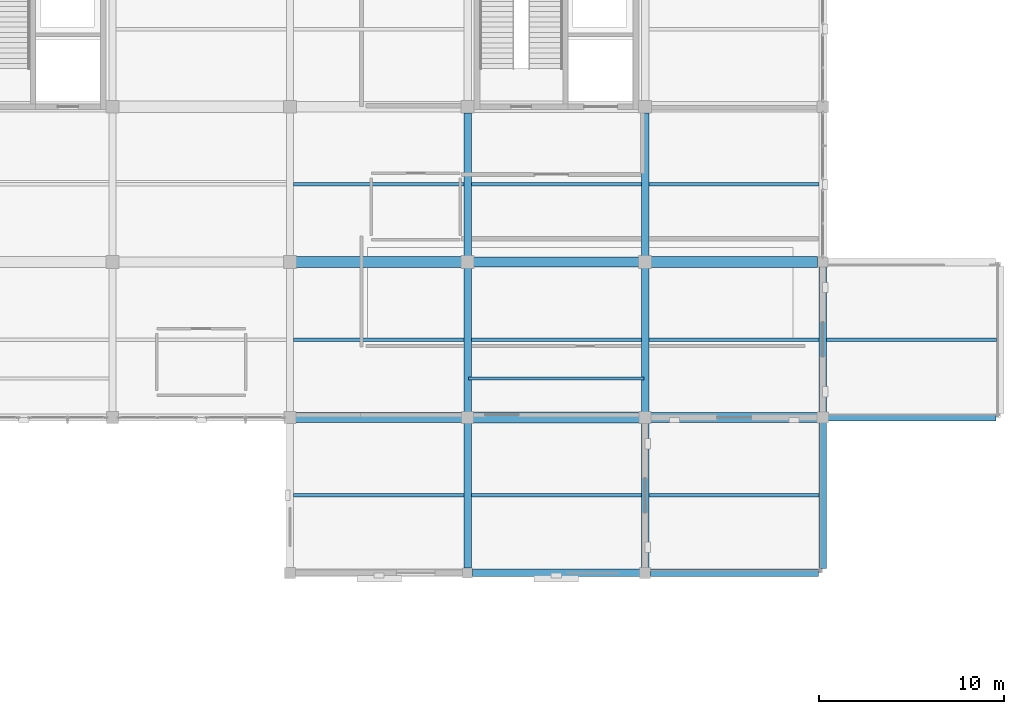
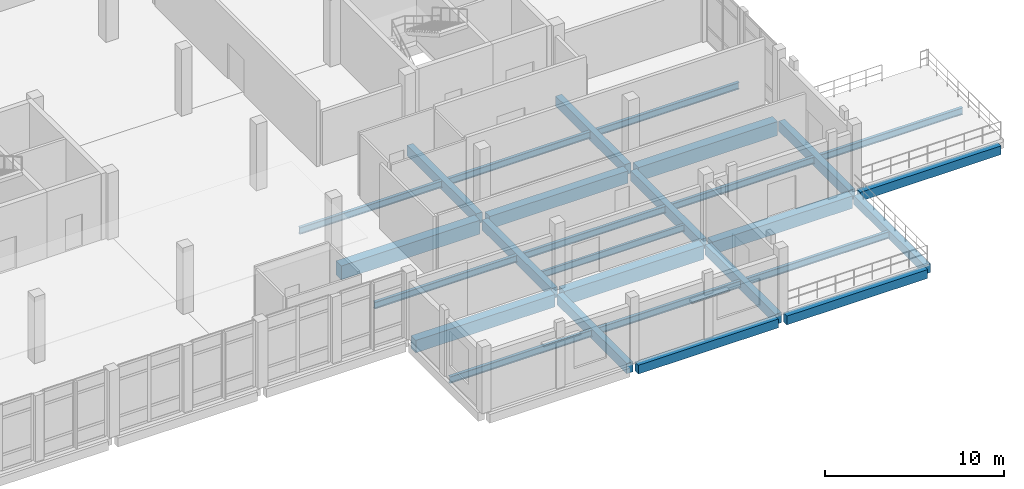
# One storey, part 61 of 102: 28 beams.
"""IFC4 building model written with IfcOpenShell, lengths in metres."""

import ifcopenshell
import ifcopenshell.guid

model = None  # the IFC model being written
_history = None  # IfcOwnerHistory: only IFC2X3 demands one
_inside = {}  # id of a spatial element -> (the spatial element, [elements in it])
_under = {}  # id of a project, library or spatial element -> (it, [spatial elements below it])
_declared = {}  # id of a project -> (the project, [libraries it declares])
_typed = {}  # id of a type object -> (the type object, [elements of that type])
_made_of = {}  # id of a material, layer set ... -> (it, [elements and type objects made of it])


def new_model(schema):
    """Start an empty IFC model of exactly this schema.

    Asked for "IFC4X3", IfcOpenShell would pick the latest addendum, in which some entities
    have other attributes; the version numbers below select the first issue.
    IFC2X3 requires an IfcOwnerHistory on every rooted entity: one is made here for all.
    """
    global model, _history
    if schema == "IFC4X3":
        model = ifcopenshell.file(schema_version=(4, 3, 0, 0))
    else:
        model = ifcopenshell.file(schema=schema)
    _inside.clear()
    _under.clear()
    _declared.clear()
    _typed.clear()
    _made_of.clear()
    _history = None
    if model.schema == "IFC2X3":
        org = make("IfcOrganization", Name="unknown")
        user = make(
            "IfcPersonAndOrganization",
            ThePerson=make("IfcPerson", FamilyName="unknown"),
            TheOrganization=org,
        )
        app = make(
            "IfcApplication",
            ApplicationDeveloper=org,
            Version="unknown",
            ApplicationFullName="unknown",
            ApplicationIdentifier="unknown",
        )
        _history = make(
            "IfcOwnerHistory",
            OwningUser=user,
            OwningApplication=app,
            ChangeAction="ADDED",
            CreationDate=0,
        )
    return model


def make(cls, **values):
    """One entity of the class cls with the attributes given. An attribute that is None is left unset."""
    return model.create_entity(
        cls, **{name: value for name, value in values.items() if value is not None}
    )


def rooted(cls, **values):
    """An entity with a GlobalId (a new one), such as an element, a storey or a relation."""
    return make(cls, GlobalId=ifcopenshell.guid.new(), OwnerHistory=_history, **values)


def si_unit(unit_type, name, prefix=None):
    """IfcSIUnit, for example si_unit("LENGTHUNIT", "METRE", prefix="MILLI")."""
    return make("IfcSIUnit", UnitType=unit_type, Prefix=prefix, Name=name)


def assignment(units):
    """IfcUnitAssignment: the units of a project."""
    return None if units is None else make("IfcUnitAssignment", Units=units)


def point(xyz):
    """IfcCartesianPoint."""
    return None if xyz is None else make("IfcCartesianPoint", Coordinates=xyz)


def direction(xyz):
    """IfcDirection."""
    return None if xyz is None else make("IfcDirection", DirectionRatios=xyz)


def frame(location, z_axis=None, x_axis=None):
    """IfcAxis2Placement3D, a coordinate frame: its origin and axes. An axis left out is left unset."""
    return make(
        "IfcAxis2Placement3D",
        Location=point(location),
        Axis=direction(z_axis),
        RefDirection=direction(x_axis),
    )


def frame_2d(location, x_axis=None):
    """IfcAxis2Placement2D, a coordinate frame in the plane: its origin and x axis."""
    return make(
        "IfcAxis2Placement2D", Location=point(location), RefDirection=direction(x_axis)
    )


def origin():
    """The frame at (0, 0, 0) with its axes left unset."""
    return frame((0.0, 0.0, 0.0))


def origin_2d():
    """The frame at (0, 0) in the plane with its x axis left unset."""
    return frame_2d((0.0, 0.0))


def place(relative_to, where):
    """IfcLocalPlacement: puts the frame where relative to a parent placement (None: the world)."""
    return make(
        "IfcLocalPlacement", PlacementRelTo=relative_to, RelativePlacement=where
    )


def context(
    kind, dimensions, precision=None, world=None, true_north=None, identifier=None
):
    """IfcGeometricRepresentationContext, for example the 3D "Model" context."""
    return make(
        "IfcGeometricRepresentationContext",
        ContextIdentifier=identifier,
        ContextType=kind,
        CoordinateSpaceDimension=dimensions,
        Precision=precision,
        WorldCoordinateSystem=world,
        TrueNorth=true_north,
    )


def subcontext(parent, identifier, kind, view, scale=None):
    """IfcGeometricRepresentationSubContext, for example "Body" below "Model"."""
    return make(
        "IfcGeometricRepresentationSubContext",
        ContextIdentifier=identifier,
        ContextType=kind,
        ParentContext=parent,
        TargetScale=scale,
        TargetView=view,
    )


def project(units=None, contexts=None):
    """IfcProject with its units and contexts."""
    return rooted(
        "IfcProject",
        Name="project",
        RepresentationContexts=contexts,
        UnitsInContext=assignment(units),
    )


def spatial(cls, under=None, at=None, **own):
    """A site, building, storey or space (cls), placed at a placement, below another one or the project."""
    s = rooted(cls, ObjectPlacement=at, **own)
    if under is not None:
        _under.setdefault(under.id(), (under, []))[1].append(s)
    return s


def profile(cls, at=None, kind="AREA", **sizes):
    """A parametric profile (cls). Its sizes go by their IFC names, for example OverallWidth=200.0."""
    return make(cls, ProfileType=kind, Position=at, **sizes)


def rectangle(**sizes):
    """IfcRectangleProfileDef."""
    return profile("IfcRectangleProfileDef", **sizes)


def i_section(**sizes):
    """IfcIShapeProfileDef."""
    return profile("IfcIShapeProfileDef", **sizes)


def extrude(swept, where, along, depth):
    """IfcExtrudedAreaSolid: the profile swept, set in the frame where, extruded along a direction by depth."""
    return make(
        "IfcExtrudedAreaSolid",
        SweptArea=swept,
        Position=where,
        ExtrudedDirection=direction(along),
        Depth=depth,
    )


def shape(context_of_items, identifier, shape_type, items):
    """IfcShapeRepresentation: the items that make up one representation, for example the "Body"."""
    return make(
        "IfcShapeRepresentation",
        ContextOfItems=context_of_items,
        RepresentationIdentifier=identifier,
        RepresentationType=shape_type,
        Items=items,
    )


def material(Name=None, Category=None):
    """IfcMaterial."""
    return make("IfcMaterial", Name=Name, Category=Category)


def material_profile(
    of_material, cross_section, Name=None, Category=None, Priority=None
):
    """IfcMaterialProfile: a cross section and its material."""
    return make(
        "IfcMaterialProfile",
        Name=Name,
        Material=of_material,
        Profile=cross_section,
        Priority=Priority,
        Category=Category,
    )


def profile_set(profiles, Name=None, composite=None):
    """IfcMaterialProfileSet."""
    return make(
        "IfcMaterialProfileSet",
        Name=Name,
        MaterialProfiles=profiles,
        CompositeProfile=composite,
    )


def made_of(thing, what):
    """Note that an element or type object is made of a material, layer set ...; save() writes the relation."""
    if what is not None:
        _made_of.setdefault(what.id(), (what, []))[1].append(thing)
    return thing


def type_object(cls, material=None, **own):
    """A type object (cls), such as IfcWallType, which elements share."""
    return made_of(rooted(cls, **own), material)


def element(
    cls,
    number,
    at=None,
    inside=None,
    cuts=None,
    type_object=None,
    material=None,
    context=None,
    identifier="Body",
    shape_type=None,
    held_by="IfcProductDefinitionShape",
    body=None,
    shapes=None,
    **own,
):
    """One element of the class cls, such as IfcWall. Its Tag is "e" and its number.

    at: its placement. inside: the storey or other place that contains it. cuts: it is an
    opening in that element (IfcRelVoidsElement). A single representation is given by context,
    identifier, shape_type and body (its items); several are given by shapes. held_by: the class
    of the entity that holds the representations. save() writes the other relations.
    """
    e = rooted(cls, Tag="e%d" % number, ObjectPlacement=at, **own)
    if body is not None:
        shapes = [shape(context, identifier, shape_type, body)]
    if shapes is not None:
        e.Representation = make(held_by, Representations=shapes)
    if inside is not None:
        _inside.setdefault(inside.id(), (inside, []))[1].append(e)
    if cuts is not None:
        rooted(
            "IfcRelVoidsElement", RelatingBuildingElement=cuts, RelatedOpeningElement=e
        )
    if type_object is not None:
        _typed.setdefault(type_object.id(), (type_object, []))[1].append(e)
    return made_of(e, material)


def aggregate(whole, parts):
    """IfcRelAggregates: a whole, such as a stair, and the parts it consists of."""
    return rooted("IfcRelAggregates", RelatingObject=whole, RelatedObjects=parts)


def save(model, path):
    """Write the relations noted so far, then the file.

    IfcRelAggregates (storeys below a building ...), IfcRelContainedInSpatialStructure (elements
    in a storey), IfcRelDefinesByType, IfcRelAssociatesMaterial and IfcRelDeclares: one each for
    every whole, place, type object, material and project.
    """
    for whole, parts in _under.values():
        aggregate(whole, parts)
    for where, things in _inside.values():
        rooted(
            "IfcRelContainedInSpatialStructure",
            RelatedElements=things,
            RelatingStructure=where,
        )
    for kind, things in _typed.values():
        rooted("IfcRelDefinesByType", RelatedObjects=things, RelatingType=kind)
    for what, things in _made_of.values():
        rooted("IfcRelAssociatesMaterial", RelatedObjects=things, RelatingMaterial=what)
    for by, libraries in _declared.values():
        rooted("IfcRelDeclares", RelatingContext=by, RelatedDefinitions=libraries)
    model.write(path)


model = new_model("IFC4")

# Units and contexts
model_context = context("Model", 3, precision=1e-05, world=origin(), true_north=direction((0.0, 1.0)))
body_context = subcontext(model_context, "Body", "Model", "MODEL_VIEW")
ifc_project = project(units=[si_unit("LENGTHUNIT", "METRE"), si_unit("AREAUNIT", "SQUARE_METRE"), si_unit("VOLUMEUNIT", "CUBIC_METRE"), si_unit("PLANEANGLEUNIT", "RADIAN"), si_unit("MASSUNIT", "GRAM", prefix="KILO")], contexts=[model_context])

# Site, building, storey
site_placement = place(None, origin())
site = spatial("IfcSite", under=ifc_project, at=site_placement, CompositionType="ELEMENT")
building_placement = place(site_placement, origin())
building = spatial("IfcBuilding", under=site, at=building_placement, Name="Lornevale Opera House", CompositionType="ELEMENT")
storey_placement = place(building_placement, frame((0.0, 0.0, 5.39990234375)))
storey = spatial("IfcBuildingStorey", under=building, at=storey_placement, Name="L02", CompositionType="ELEMENT", Elevation=5.39990234375)

# Beams
ifc_material_1 = material(Name="Concrete 35 MPa (CSA A23.1 N)", Category="concrete")
ifc_material_profile_1 = material_profile(ifc_material_1, rectangle(XDim=0.39990234375, YDim=0.699951171875, at=origin_2d()), Name="RC400x700")
ifc_profile_set_1 = profile_set([ifc_material_profile_1], Name="Concrete 35 MPa (CSA A23.1 N)")
beam_type_1 = type_object("IfcBeamType", Name="Concrete Floor Beam 400x700", PredefinedType="USERDEFINED", material=ifc_profile_set_1)
beam_1_placement = place(storey_placement, frame((134.39990234375, 8.675048828125, -0.64990234375), z_axis=(0.0, 1.0, 0.0), x_axis=(-1.0, 0.0, 0.0)))
element("IfcBeam", 1, at=beam_1_placement, inside=storey, type_object=beam_type_1, Name="Concrete Floor Beam 400x700 1951", ObjectType="GIRDER", PredefinedType="USERDEFINED", context=body_context, shape_type="SweptSolid", body=[
    extrude(rectangle(XDim=0.39990234375, YDim=0.699951171875, at=origin_2d()), origin(), (0.0, 0.0, 1.0), 7.824951171875),
])
beam_2_placement = place(storey_placement, frame((134.39990234375, 17.10009765625, -0.64990234375), z_axis=(0.0, 1.0, 0.0), x_axis=(-1.0, 0.0, 0.0)))
element("IfcBeam", 2, at=beam_2_placement, inside=storey, type_object=beam_type_1, Name="Concrete Floor Beam 400x700 1952", ObjectType="GIRDER", PredefinedType="USERDEFINED", context=body_context, shape_type="SweptSolid", body=[
    extrude(rectangle(XDim=0.39990234375, YDim=0.699951171875, at=origin_2d()), origin(), (0.0, 0.0, 1.0), 7.77490234375),
])
beam_3_placement = place(storey_placement, frame((134.39990234375, 25.52490234375, -0.64990234375), z_axis=(0.0, 1.0, 0.0), x_axis=(-1.0, 0.0, 0.0)))
element("IfcBeam", 3, at=beam_3_placement, inside=storey, type_object=beam_type_1, Name="Concrete Floor Beam 400x700 1953", ObjectType="GIRDER", PredefinedType="USERDEFINED", context=body_context, shape_type="SweptSolid", body=[
    extrude(rectangle(XDim=0.39990234375, YDim=0.699951171875, at=origin_2d()), origin(), (0.0, 0.0, 1.0), 7.75),
])
beam_4_placement = place(storey_placement, frame((144.0, 8.675048828125, -0.64990234375), z_axis=(0.0, 1.0, 0.0), x_axis=(-1.0, 0.0, 0.0)))
element("IfcBeam", 4, at=beam_4_placement, inside=storey, type_object=beam_type_1, Name="Concrete Floor Beam 400x700 1960", ObjectType="GIRDER", PredefinedType="USERDEFINED", context=body_context, shape_type="SweptSolid", body=[
    extrude(rectangle(XDim=0.39990234375, YDim=0.699951171875, at=origin_2d()), origin(), (0.0, 0.0, 1.0), 7.849853515625),
])
beam_5_placement = place(storey_placement, frame((144.0, 17.074951171875, -0.64990234375), z_axis=(0.0, 1.0, 0.0), x_axis=(-1.0, 0.0, 0.0)))
element("IfcBeam", 5, at=beam_5_placement, inside=storey, type_object=beam_type_1, Name="Concrete Floor Beam 400x700 1961", ObjectType="GIRDER", PredefinedType="USERDEFINED", context=body_context, shape_type="SweptSolid", body=[
    extrude(rectangle(XDim=0.39990234375, YDim=0.699951171875, at=origin_2d()), origin(), (0.0, 0.0, 1.0), 7.800048828125),
])
beam_6_placement = place(storey_placement, frame((144.0, 25.52490234375, -0.64990234375), z_axis=(0.0, 1.0, 0.0), x_axis=(-1.0, 0.0, 0.0)))
element("IfcBeam", 6, at=beam_6_placement, inside=storey, type_object=beam_type_1, Name="Concrete Floor Beam 400x700 1962", ObjectType="GIRDER", PredefinedType="USERDEFINED", context=body_context, shape_type="SweptSolid", body=[
    extrude(rectangle(XDim=0.39990234375, YDim=0.699951171875, at=origin_2d()), origin(), (0.0, 0.0, 1.0), 7.75),
])
beam_7_placement = place(storey_placement, frame((153.60009765625, 17.074951171875, -0.64990234375), z_axis=(0.0, 1.0, 0.0), x_axis=(-1.0, 0.0, 0.0)))
element("IfcBeam", 7, at=beam_7_placement, inside=storey, type_object=beam_type_1, Name="Concrete Floor Beam 400x700 1970", ObjectType="GIRDER", PredefinedType="USERDEFINED", context=body_context, shape_type="SweptSolid", body=[
    extrude(rectangle(XDim=0.39990234375, YDim=0.699951171875, at=origin_2d()), origin(), (0.0, 0.0, 1.0), 7.85009765625),
])
ifc_material_profile_2 = material_profile(ifc_material_1, rectangle(XDim=0.550048828125, YDim=0.85009765625, at=origin_2d()), Name="RC550x850")
ifc_profile_set_2 = profile_set([ifc_material_profile_2], Name="Concrete 35 MPa (CSA A23.1 N)")
beam_type_2 = type_object("IfcBeamType", Name="Concrete Primary Girder 550x850", PredefinedType="USERDEFINED", material=ifc_profile_set_2)
beam_8_placement = place(storey_placement, frame((125.10009765625, 16.800048828125, -0.724853515625), z_axis=(1.0, 0.0, 0.0), x_axis=(0.0, 1.0, 0.0)))
element("IfcBeam", 8, at=beam_8_placement, inside=storey, type_object=beam_type_2, Name="Concrete Primary Girder 550x850 1691", ObjectType="GIRDER", PredefinedType="USERDEFINED", context=body_context, shape_type="SweptSolid", body=[
    extrude(rectangle(XDim=0.550048828125, YDim=0.85009765625, at=origin_2d()), origin(), (0.0, 0.0, 1.0), 9.0),
])
beam_9_placement = place(storey_placement, frame((144.27490234375, 16.800048828125, -0.724853515625), z_axis=(1.0, 0.0, 0.0), x_axis=(0.0, 1.0, 0.0)))
element("IfcBeam", 9, at=beam_9_placement, inside=storey, type_object=beam_type_2, Name="Concrete Primary Girder 550x850 1693", ObjectType="GIRDER", PredefinedType="USERDEFINED", context=body_context, shape_type="SweptSolid", body=[
    extrude(rectangle(XDim=0.550048828125, YDim=0.85009765625, at=origin_2d()), origin(), (0.0, 0.0, 1.0), 9.050048828125),
])
beam_10_placement = place(storey_placement, frame((134.72509765625, 25.199951171875, -0.724853515625), z_axis=(1.0, 0.0, 0.0), x_axis=(0.0, 1.0, 0.0)))
element("IfcBeam", 10, at=beam_10_placement, inside=storey, type_object=beam_type_2, Name="Concrete Primary Girder 550x850 1706", ObjectType="GIRDER", PredefinedType="USERDEFINED", context=body_context, shape_type="SweptSolid", body=[
    extrude(rectangle(XDim=0.550048828125, YDim=0.85009765625, at=origin_2d()), origin(), (0.0, 0.0, 1.0), 8.949951171875),
])
ifc_material_profile_3 = material_profile(ifc_material_1, rectangle(XDim=0.60009765625, YDim=0.949951171875, at=origin_2d()), Name="RC600x950")
ifc_profile_set_3 = profile_set([ifc_material_profile_3], Name="Concrete 35 MPa (CSA A23.1 N)")
beam_type_3 = type_object("IfcBeamType", Name="Concrete Primary Girder 600x950", PredefinedType="USERDEFINED", material=ifc_profile_set_3)
beam_11_placement = place(storey_placement, frame((134.699951171875, 16.800048828125, -0.77490234375), z_axis=(1.0, 0.0, 0.0), x_axis=(0.0, 1.0, 0.0)))
element("IfcBeam", 11, at=beam_11_placement, inside=storey, type_object=beam_type_3, Name="Concrete Primary Girder 600x950 1692", ObjectType="GIRDER", PredefinedType="USERDEFINED", context=body_context, shape_type="SweptSolid", body=[
    extrude(rectangle(XDim=0.60009765625, YDim=0.949951171875, at=origin_2d()), origin(), (0.0, 0.0, 1.0), 9.025146484375),
])
beam_12_placement = place(storey_placement, frame((125.125, 25.199951171875, -0.77490234375), z_axis=(1.0, 0.0, 0.0), x_axis=(0.0, 1.0, 0.0)))
element("IfcBeam", 12, at=beam_12_placement, inside=storey, type_object=beam_type_3, Name="Concrete Primary Girder 600x950 1705", ObjectType="GIRDER", PredefinedType="USERDEFINED", context=body_context, shape_type="SweptSolid", body=[
    extrude(rectangle(XDim=0.60009765625, YDim=0.949951171875, at=origin_2d()), origin(), (0.0, 0.0, 1.0), 8.949951171875),
])
beam_13_placement = place(storey_placement, frame((144.324951171875, 25.199951171875, -0.77490234375), z_axis=(1.0, 0.0, 0.0), x_axis=(0.0, 1.0, 0.0)))
element("IfcBeam", 13, at=beam_13_placement, inside=storey, type_object=beam_type_3, Name="Concrete Primary Girder 600x950 1707", ObjectType="GIRDER", PredefinedType="USERDEFINED", context=body_context, shape_type="SweptSolid", body=[
    extrude(rectangle(XDim=0.60009765625, YDim=0.949951171875, at=origin_2d()), origin(), (0.0, 0.0, 1.0), 9.0),
])
ifc_material_profile_4 = material_profile(ifc_material_1, rectangle(XDim=0.39990234375, YDim=0.60009765625, at=origin_2d()), Name="RC400x600")
ifc_profile_set_4 = profile_set([ifc_material_profile_4], Name="Concrete 35 MPa (CSA A23.1 N)")
beam_type_4 = type_object("IfcBeamType", Name="Concrete Spandrel Beam 400x600", PredefinedType="SPANDREL", material=ifc_profile_set_4)
beam_14_placement = place(storey_placement, frame((134.675048828125, 8.39990234375, -0.599853515625), z_axis=(1.0, 0.0, 0.0), x_axis=(0.0, 1.0, 0.0)))
element("IfcBeam", 14, at=beam_14_placement, inside=storey, type_object=beam_type_4, Name="Concrete Spandrel Beam 400x600 1679", PredefinedType="SPANDREL", context=body_context, shape_type="SweptSolid", body=[
    extrude(rectangle(XDim=0.39990234375, YDim=0.60009765625, at=origin_2d()), origin(), (0.0, 0.0, 1.0), 9.050048828125),
])
for number, where, z_axis, x_axis, name in (
    (15, (144.27490234375, 8.39990234375, -0.599853515625), (1.0, 0.0, 0.0), (0.0, 1.0, 0.0), "Concrete Spandrel Beam 400x600 1680"),
    (16, (153.875, 16.800048828125, -0.599853515625), (1.0, 0.0, 0.0), (0.0, 1.0, 0.0), "Concrete Spandrel Beam 400x600 1694"),
):
    element("IfcBeam", number, at=place(storey_placement, frame(where, z_axis=z_axis, x_axis=x_axis)), inside=storey, type_object=beam_type_4, Name=name, PredefinedType="SPANDREL", context=body_context, shape_type="SweptSolid", body=[
        extrude(rectangle(XDim=0.39990234375, YDim=0.60009765625, at=origin_2d()), origin(), (0.0, 0.0, 1.0), 9.10009765625),
    ])
beam_15_placement = place(storey_placement, frame((153.60009765625, 8.625, -0.599853515625), z_axis=(0.0, 1.0, 0.0), x_axis=(-1.0, 0.0, 0.0)))
element("IfcBeam", 17, at=beam_15_placement, inside=storey, type_object=beam_type_4, Name="Concrete Spandrel Beam 400x600 1969", PredefinedType="SPANDREL", context=body_context, shape_type="SweptSolid", body=[
    extrude(rectangle(XDim=0.39990234375, YDim=0.60009765625, at=origin_2d()), origin(), (0.0, 0.0, 1.0), 7.89990234375),
])
ifc_material_2 = material(Name="Structural Steel CSA G40.21 Grade 350W (350 MPa)", Category="steel")
ifc_material_profile_5 = material_profile(ifc_material_2, i_section(OverallWidth=0.153076171875, OverallDepth=0.455078125, WebThickness=0.008056640625, FlangeThickness=0.01318359375, at=origin_2d()), Name="W460x60")
ifc_profile_set_5 = profile_set([ifc_material_profile_5], Name="Structural Steel CSA G40.21 Grade 350W (350 MPa)")
beam_type_5 = type_object("IfcBeamType", Name="Dressing Wing Beam W460x60", PredefinedType="JOIST", material=ifc_profile_set_5)
beam_16_placement = place(storey_placement, frame((134.449951171875, 18.89990234375, -0.539794921875), z_axis=(1.0, 0.0, 0.0), x_axis=(0.0, 1.0, 0.0)))
element("IfcBeam", 18, at=beam_16_placement, inside=storey, type_object=beam_type_5, Name="Dressing Wing Beam W460x60 3039", PredefinedType="JOIST", context=body_context, shape_type="SweptSolid", body=[
    extrude(i_section(OverallWidth=0.153076171875, OverallDepth=0.455078125, WebThickness=0.008056640625, FlangeThickness=0.01318359375, at=origin_2d()), origin(), (0.0, 0.0, 1.0), 9.5),
])
ifc_material_profile_6 = material_profile(ifc_material_2, i_section(OverallWidth=0.19189453125, OverallDepth=0.462890625, WebThickness=0.010498046875, FlangeThickness=0.017578125, at=origin_2d()), Name="W460x89")
ifc_profile_set_6 = profile_set([ifc_material_profile_6], Name="Structural Steel CSA G40.21 Grade 350W (350 MPa)")
beam_type_6 = type_object("IfcBeamType", Name="Steel Floor Joist W460x89", PredefinedType="JOIST", material=ifc_profile_set_6)
for number, where, z_axis, x_axis, name in (
    (19, (125.0, 12.60009765625, -0.54638671875), (1.0, 0.0, 0.0), (0.0, 1.0, 0.0), "Steel Floor Joist W460x89 2056"),
    (20, (125.0, 21.0, -0.54638671875), (1.0, 0.0, 0.0), (0.0, 1.0, 0.0), "Steel Floor Joist W460x89 2057"),
    (21, (125.0, 29.39990234375, -0.54638671875), (1.0, 0.0, 0.0), (0.0, 1.0, 0.0), "Steel Floor Joist W460x89 2058"),
    (22, (134.60009765625, 12.60009765625, -0.54638671875), (1.0, 0.0, 0.0), (0.0, 1.0, 0.0), "Steel Floor Joist W460x89 2065"),
    (23, (134.60009765625, 21.0, -0.54638671875), (1.0, 0.0, 0.0), (0.0, 1.0, 0.0), "Steel Floor Joist W460x89 2066"),
    (24, (134.60009765625, 29.39990234375, -0.54638671875), (1.0, 0.0, 0.0), (0.0, 1.0, 0.0), "Steel Floor Joist W460x89 2067"),
    (25, (144.199951171875, 12.60009765625, -0.54638671875), (1.0, 0.0, 0.0), (0.0, 1.0, 0.0), "Steel Floor Joist W460x89 2072"),
    (26, (144.199951171875, 21.0, -0.54638671875), (1.0, 0.0, 0.0), (0.0, 1.0, 0.0), "Steel Floor Joist W460x89 2073"),
    (27, (144.199951171875, 29.39990234375, -0.54638671875), (1.0, 0.0, 0.0), (0.0, 1.0, 0.0), "Steel Floor Joist W460x89 2074"),
    (28, (153.800048828125, 21.0, -0.54638671875), (1.0, 0.0, 0.0), (0.0, 1.0, 0.0), "Steel Floor Joist W460x89 2081"),
):
    element("IfcBeam", number, at=place(storey_placement, frame(where, z_axis=z_axis, x_axis=x_axis)), inside=storey, type_object=beam_type_6, Name=name, PredefinedType="JOIST", context=body_context, shape_type="SweptSolid", body=[
        extrude(i_section(OverallWidth=0.19189453125, OverallDepth=0.462890625, WebThickness=0.010498046875, FlangeThickness=0.017578125, at=origin_2d()), origin(), (0.0, 0.0, 1.0), 9.199951171875),
    ])

save(model, "model.ifc")
